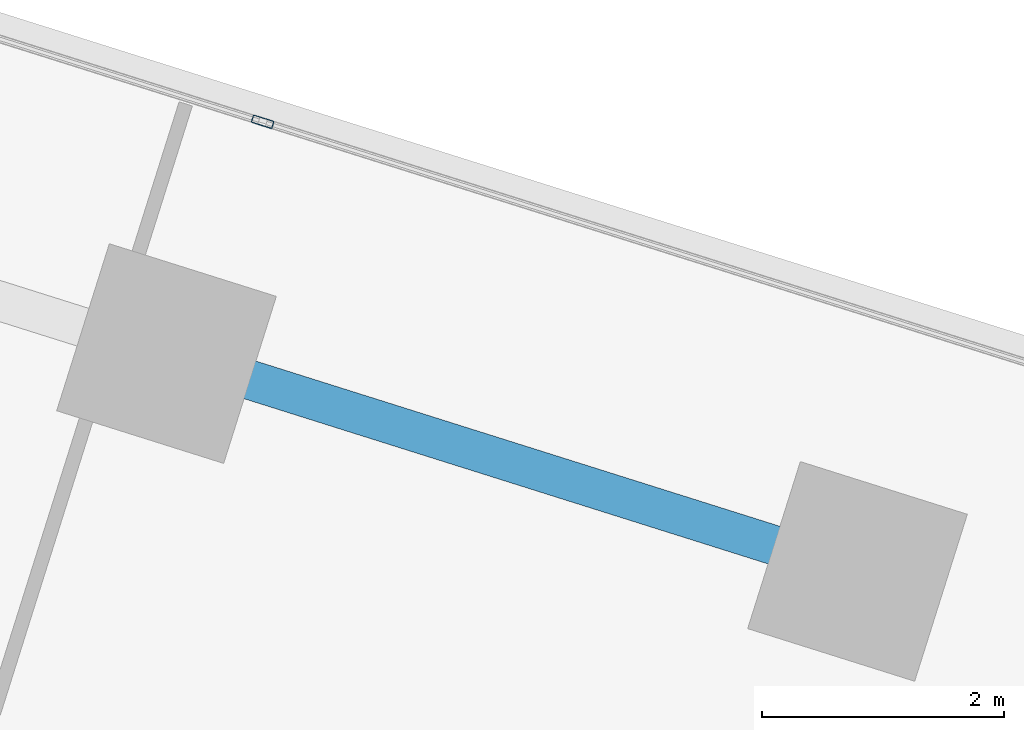
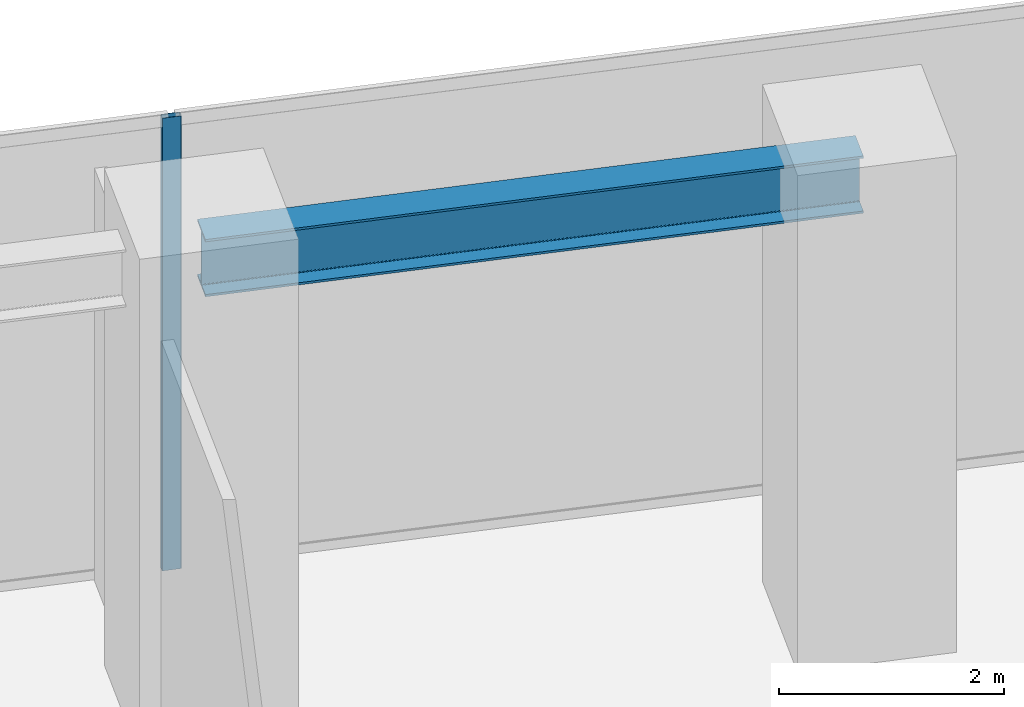
# One storey, part 11 of 28: 1 beam, 1 member, 1 element without a shape of its own.
"""IFC4 building model written with IfcOpenShell, lengths in metres."""

from ifc_helpers import new_model, si_unit, direction, frame, origin, origin_2d, place, context, subcontext, project, spatial, hollow_rectangle, i_section, extrude, source, transform, mapped, material, material_profile, profile_set, type_object, element, aggregate, save


model = new_model("IFC4")

# Units and contexts
model_context = context("Model", 3, precision=1e-05, world=origin(), true_north=direction((0.0, 1.0)))
body_context = subcontext(model_context, "Body", "Model", "MODEL_VIEW")
ifc_project = project(units=[si_unit("LENGTHUNIT", "METRE"), si_unit("AREAUNIT", "SQUARE_METRE"), si_unit("VOLUMEUNIT", "CUBIC_METRE"), si_unit("PLANEANGLEUNIT", "RADIAN"), si_unit("MASSUNIT", "GRAM", prefix="KILO")], contexts=[model_context])

# Site, building, storey
site_placement = place(None, origin())
site = spatial("IfcSite", under=ifc_project, at=site_placement, CompositionType="ELEMENT")
building_placement = place(site_placement, origin())
building = spatial("IfcBuilding", under=site, at=building_placement, Name="Torre Montelarca", CompositionType="ELEMENT")
storey_placement = place(building_placement, frame((0.0, 0.0, 116.800048828125)))
storey = spatial("IfcBuildingStorey", under=building, at=storey_placement, Name="L26", CompositionType="ELEMENT", Elevation=116.800048828125)

# Beam
ifc_material_1 = material(Name="Steel ASTM A992 Grade 50", Category="steel")
ifc_material_profile_1 = material_profile(ifc_material_1, i_section(OverallWidth=0.326904296875, OverallDepth=0.6220703125, WebThickness=0.015380859375, FlangeThickness=0.0244140625, FilletRadius=0.014892578125, at=origin_2d()), Name="W610X195", Category="steel")
ifc_profile_set_1 = profile_set([ifc_material_profile_1], Name="Steel ASTM A992 Grade 50")
beam_type = type_object("IfcBeamType", Name="BM-G-W610H", PredefinedType="BEAM", material=ifc_profile_set_1)
shared_shape_1 = source(origin(), body_context, "Body", "SweptSolid", [
    extrude(i_section(OverallWidth=0.326904296875, OverallDepth=0.6220703125, WebThickness=0.015380859375, FlangeThickness=0.0244140625, FilletRadius=0.014892578125, at=origin_2d()), origin(), (0.0, 0.0, 1.0), 6.0),
])
beam_placement = place(storey_placement, frame((50.9833984375, 37.38330078125, 4.808837890625), z_axis=(0.953720315082, -0.300695128993, 0.0), x_axis=(0.300695128993, 0.953720315082, 0.0)))
element("IfcBeam", 1, at=beam_placement, inside=storey, type_object=beam_type, Name="L26 Grid Girder X 48.0-54.0 at Y=46.0", PredefinedType="BEAM", context=body_context, shape_type="MappedRepresentation", body=[
    mapped(shared_shape_1, transform((0.0, 0.0, 0.0), scale=1.0)),
])

# Curtain wall, member
ifc_material_2 = material(Name="Insulated low-E laminated glass", Category="glass")
curtain_wall_type = type_object("IfcCurtainWallType", Name="CW-SYS-Z1", PredefinedType="USERDEFINED", material=ifc_material_2)
curtain_wall_placement = place(storey_placement, origin())
curtain_wall = element("IfcCurtainWall", 2, at=curtain_wall_placement, inside=storey, type_object=curtain_wall_type, Name="L26 Curtain Wall Run CW-T3-L26-E08-B1", ObjectType="UNITISED GLAZING", PredefinedType="USERDEFINED")
ifc_material_3 = material(Name="Anodised aluminium AA 6063-T6", Category="aluminium")
ifc_material_profile_2 = material_profile(ifc_material_3, hollow_rectangle(XDim=0.06494140625, YDim=0.179931640625, WallThickness=0.00390625, InnerFilletRadius=0.00390625, OuterFilletRadius=0.008056640625, at=origin_2d()), Name="ALU65X180X4", Category="aluminium")
ifc_profile_set_2 = profile_set([ifc_material_profile_2], Name="Anodised aluminium AA 6063-T6")
member_type = type_object("IfcMemberType", Name="CWM-ALU180", PredefinedType="MULLION", material=ifc_profile_set_2)
shared_shape_2 = source(origin(), body_context, "Body", "SweptSolid", [
    extrude(hollow_rectangle(XDim=0.06494140625, YDim=0.179931640625, WallThickness=0.00390625, InnerFilletRadius=0.00390625, OuterFilletRadius=0.008056640625, at=origin_2d()), origin(), (0.0, 0.0, 1.0), 4.919921875),
])
member_placement = place(storey_placement, frame((51.779541015625, 39.302734375, 0.0), z_axis=(0.0, 0.0, 1.0), x_axis=(-0.300702638073, -0.953717947538, 0.0)))
member = element("IfcMember", 3, at=member_placement, type_object=member_type, Name="CW mullion 2", PredefinedType="MULLION", context=body_context, shape_type="MappedRepresentation", body=[
    mapped(shared_shape_2, transform((0.0, 0.0, 0.0), scale=1.0)),
])
aggregate(curtain_wall, [member])

save(model, "model.ifc")
